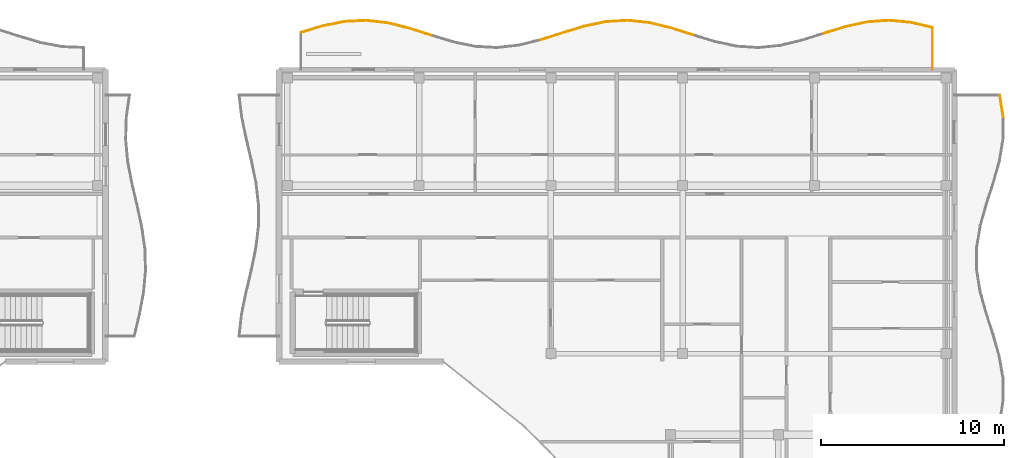
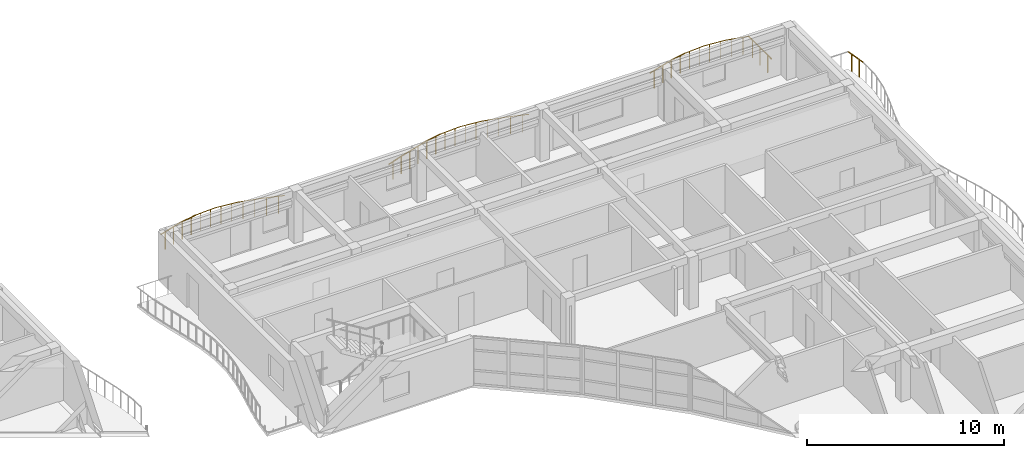
# One storey, part 68 of 68: 20 railings.
"""IFC4 building model written with IfcOpenShell, lengths in metres."""

from ifc_helpers import new_model, si_unit, direction, frame, origin, origin_2d, place, context, subcontext, project, spatial, circle, extrude, material, type_object, element, save


model = new_model("IFC4")

# Units and contexts
model_context = context("Model", 3, precision=1e-05, world=origin(), true_north=direction((0.0, 1.0)))
body_context = subcontext(model_context, "Body", "Model", "MODEL_VIEW")
ifc_project = project(units=[si_unit("LENGTHUNIT", "METRE"), si_unit("AREAUNIT", "SQUARE_METRE"), si_unit("VOLUMEUNIT", "CUBIC_METRE"), si_unit("PLANEANGLEUNIT", "RADIAN"), si_unit("MASSUNIT", "GRAM", prefix="KILO")], contexts=[model_context])

# Site, building, storey
site_placement = place(None, origin())
site = spatial("IfcSite", under=ifc_project, at=site_placement, CompositionType="ELEMENT")
building_placement = place(site_placement, origin())
building = spatial("IfcBuilding", under=site, at=building_placement, Name="Keldmere Railside Commons", CompositionType="ELEMENT")
storey_placement = place(building_placement, frame((0.0, 0.0, 23.360107421875)))
storey = spatial("IfcBuildingStorey", under=building, at=storey_placement, Name="L07", CompositionType="ELEMENT", Elevation=23.360107421875)

# Railings
ifc_material = material(Name="Steel F-24 (S235)", Category="steel")
railing_type = type_object("IfcRailingType", Name="Balcony & Terrace Steel Balustrade 1100", PredefinedType="BALUSTRADE", material=ifc_material)
railing_1_placement = place(storey_placement, frame((148.199951171875, 118.037353515625, 0.0)))
element("IfcRailing", 1, at=railing_1_placement, inside=storey, type_object=railing_type, Name="GR-1 GRD-L07-3955", PredefinedType="BALUSTRADE", context=body_context, shape_type="SweptSolid", body=[
    extrude(circle(Radius=0.02392578125, at=origin_2d()), frame((0.0, 0.0, 1.076171875), z_axis=(0.957615695202, 0.288048919981, 0.0), x_axis=(-0.288048919981, 0.957615695202, 0.0)), (0.0, 0.0, 1.0), 1.245849609375),
    extrude(circle(Radius=0.02099609375, at=origin_2d()), frame((0.29833984375, 0.08984375, 0.0)), (0.0, 0.0, 1.0), 1.048095703125),
    extrude(circle(Radius=0.02099609375, at=origin_2d()), frame((0.894775390625, 0.26904296875, 0.0)), (0.0, 0.0, 1.0), 1.048095703125),
])
railing_2_placement = place(storey_placement, frame((149.39306640625, 118.396240234375, 0.0)))
element("IfcRailing", 2, at=railing_2_placement, inside=storey, type_object=railing_type, Name="GR-1 GRD-L07-3956", PredefinedType="BALUSTRADE", context=body_context, shape_type="SweptSolid", body=[
    extrude(circle(Radius=0.02392578125, at=origin_2d()), frame((0.0, 0.0, 1.076171875), z_axis=(0.980247539976, 0.197774519013, 0.0), x_axis=(-0.197774519013, 0.980247539976, 0.0)), (0.0, 0.0, 1.0), 1.217041015625),
    extrude(circle(Radius=0.02099609375, at=origin_2d()), frame((0.29833984375, 0.06005859375, 0.0)), (0.0, 0.0, 1.0), 1.048095703125),
    extrude(circle(Radius=0.02099609375, at=origin_2d()), frame((0.894775390625, 0.1806640625, 0.0)), (0.0, 0.0, 1.0), 1.048095703125),
])
railing_3_placement = place(storey_placement, frame((150.586181640625, 118.636962890625, 0.0)))
element("IfcRailing", 3, at=railing_3_placement, inside=storey, type_object=railing_type, Name="GR-1 GRD-L07-3957", PredefinedType="BALUSTRADE", context=body_context, shape_type="SweptSolid", body=[
    extrude(circle(Radius=0.02392578125, at=origin_2d()), frame((0.0, 0.0, 1.076171875), z_axis=(0.99879628656, 0.049050769137, 0.0), x_axis=(-0.049050769137, 0.99879628656, 0.0)), (0.0, 0.0, 1.0), 1.194580078125),
    extrude(circle(Radius=0.02099609375, at=origin_2d()), frame((0.29833984375, 0.0146484375, 0.0)), (0.0, 0.0, 1.0), 1.048095703125),
    extrude(circle(Radius=0.02099609375, at=origin_2d()), frame((0.894775390625, 0.0439453125, 0.0)), (0.0, 0.0, 1.0), 1.048095703125),
])
railing_4_placement = place(storey_placement, frame((151.779296875, 118.695556640625, 0.0)))
element("IfcRailing", 4, at=railing_4_placement, inside=storey, type_object=railing_type, Name="GR-1 GRD-L07-3958", PredefinedType="BALUSTRADE", context=body_context, shape_type="SweptSolid", body=[
    extrude(circle(Radius=0.02392578125, at=origin_2d()), frame((0.0, 0.0, 1.076171875), z_axis=(0.993290015708, -0.115650095956, 0.0), x_axis=(0.115650095956, 0.993290015708, 0.0)), (0.0, 0.0, 1.0), 1.201171875),
    extrude(circle(Radius=0.02099609375, at=origin_2d()), frame((0.29833984375, -0.03466796875, 0.0)), (0.0, 0.0, 1.0), 1.048095703125),
    extrude(circle(Radius=0.02099609375, at=origin_2d()), frame((0.894775390625, -0.104248046875, 0.0)), (0.0, 0.0, 1.0), 1.048095703125),
])
railing_5_placement = place(storey_placement, frame((152.972412109375, 118.556640625, 0.0)))
element("IfcRailing", 5, at=railing_5_placement, inside=storey, type_object=railing_type, Name="GR-1 GRD-L07-3959", PredefinedType="BALUSTRADE", context=body_context, shape_type="SweptSolid", body=[
    extrude(circle(Radius=0.02392578125, at=origin_2d()), frame((0.0, 0.0, 1.076171875), z_axis=(0.969896842271, -0.243516150085, 0.0), x_axis=(0.243516150085, 0.969896842271, 0.0)), (0.0, 0.0, 1.0), 1.230224609375),
    extrude(circle(Radius=0.02099609375, at=origin_2d()), frame((0.29833984375, -0.074951171875, 0.0)), (0.0, 0.0, 1.0), 1.048095703125),
    extrude(circle(Radius=0.02099609375, at=origin_2d()), frame((0.894775390625, -0.224609375, 0.0)), (0.0, 0.0, 1.0), 1.048095703125),
])
railing_6_placement = place(storey_placement, frame((154.16552734375, 118.257080078125, 0.0)))
element("IfcRailing", 6, at=railing_6_placement, inside=storey, type_object=railing_type, Name="GR-1 GRD-L07-3960", PredefinedType="BALUSTRADE", context=body_context, shape_type="SweptSolid", body=[
    extrude(circle(Radius=0.02392578125, at=origin_2d()), frame((0.0, 0.0, 1.076171875), z_axis=(0.952641189787, -0.304096635168, 0.0), x_axis=(0.304096635168, 0.952641189787, 0.0)), (0.0, 0.0, 1.0), 1.25244140625),
    extrude(circle(Radius=0.02099609375, at=origin_2d()), frame((0.29833984375, -0.09521484375, 0.0)), (0.0, 0.0, 1.0), 1.048095703125),
    extrude(circle(Radius=0.02099609375, at=origin_2d()), frame((0.894775390625, -0.28564453125, 0.0)), (0.0, 0.0, 1.0), 1.048095703125),
])
railing_7_placement = place(storey_placement, frame((161.32421875, 117.630615234375, 0.0)))
element("IfcRailing", 7, at=railing_7_placement, inside=storey, type_object=railing_type, Name="GR-1 GRD-L07-3966", PredefinedType="BALUSTRADE", context=body_context, shape_type="SweptSolid", body=[
    extrude(circle(Radius=0.02392578125, at=origin_2d()), frame((0.0, 0.0, 1.076171875), z_axis=(0.952848913784, 0.303445130955, 0.0), x_axis=(-0.303445130955, 0.952848913784, 0.0)), (0.0, 0.0, 1.0), 1.251953125),
    extrude(circle(Radius=0.02099609375, at=origin_2d()), frame((0.29833984375, 0.094970703125, 0.0)), (0.0, 0.0, 1.0), 1.048095703125),
    extrude(circle(Radius=0.02099609375, at=origin_2d()), frame((0.89453125, 0.284912109375, 0.0)), (0.0, 0.0, 1.0), 1.048095703125),
])
railing_8_placement = place(storey_placement, frame((162.51708984375, 118.010498046875, 0.0)))
element("IfcRailing", 8, at=railing_8_placement, inside=storey, type_object=railing_type, Name="GR-1 GRD-L07-3967", PredefinedType="BALUSTRADE", context=body_context, shape_type="SweptSolid", body=[
    extrude(circle(Radius=0.02392578125, at=origin_2d()), frame((0.0, 0.0, 1.076171875), z_axis=(0.956529166579, 0.291636680622, 0.0), x_axis=(-0.291636680622, 0.956529166579, 0.0)), (0.0, 0.0, 1.0), 1.247314453125),
    extrude(circle(Radius=0.02099609375, at=origin_2d()), frame((0.29833984375, 0.0908203125, 0.0)), (0.0, 0.0, 1.0), 1.048095703125),
    extrude(circle(Radius=0.02099609375, at=origin_2d()), frame((0.894775390625, 0.27294921875, 0.0)), (0.0, 0.0, 1.0), 1.048095703125),
])
railing_9_placement = place(storey_placement, frame((163.710205078125, 118.374267578125, 0.0)))
element("IfcRailing", 9, at=railing_9_placement, inside=storey, type_object=railing_type, Name="GR-1 GRD-L07-3968", PredefinedType="BALUSTRADE", context=body_context, shape_type="SweptSolid", body=[
    extrude(circle(Radius=0.02392578125, at=origin_2d()), frame((0.0, 0.0, 1.076171875), z_axis=(0.97850302277, 0.206232476663, 0.0), x_axis=(-0.206232476663, 0.97850302277, 0.0)), (0.0, 0.0, 1.0), 1.21923828125),
    extrude(circle(Radius=0.02099609375, at=origin_2d()), frame((0.29833984375, 0.06298828125, 0.0)), (0.0, 0.0, 1.0), 1.048095703125),
    extrude(circle(Radius=0.02099609375, at=origin_2d()), frame((0.894775390625, 0.1884765625, 0.0)), (0.0, 0.0, 1.0), 1.048095703125),
])
railing_10_placement = place(storey_placement, frame((164.9033203125, 118.625732421875, 0.0)))
element("IfcRailing", 10, at=railing_10_placement, inside=storey, type_object=railing_type, Name="GR-1 GRD-L07-3969", PredefinedType="BALUSTRADE", context=body_context, shape_type="SweptSolid", body=[
    extrude(circle(Radius=0.02392578125, at=origin_2d()), frame((0.0, 0.0, 1.076171875), z_axis=(0.998171484742, 0.060445736392, 0.0), x_axis=(-0.060445736392, 0.998171484742, 0.0)), (0.0, 0.0, 1.0), 1.195556640625),
    extrude(circle(Radius=0.02099609375, at=origin_2d()), frame((0.29833984375, 0.01806640625, 0.0)), (0.0, 0.0, 1.0), 1.048095703125),
    extrude(circle(Radius=0.02099609375, at=origin_2d()), frame((0.89501953125, 0.05419921875, 0.0)), (0.0, 0.0, 1.0), 1.048095703125),
])
railing_11_placement = place(storey_placement, frame((166.0966796875, 118.697998046875, 0.0)))
element("IfcRailing", 11, at=railing_11_placement, inside=storey, type_object=railing_type, Name="GR-1 GRD-L07-3970", PredefinedType="BALUSTRADE", context=body_context, shape_type="SweptSolid", body=[
    extrude(circle(Radius=0.02392578125, at=origin_2d()), frame((0.0, 0.0, 1.076171875), z_axis=(0.994493180481, -0.104801307131, 0.0), x_axis=(0.104801307131, 0.994493180481, 0.0)), (0.0, 0.0, 1.0), 1.19970703125),
    extrude(circle(Radius=0.02099609375, at=origin_2d()), frame((0.29833984375, -0.031494140625, 0.0)), (0.0, 0.0, 1.0), 1.048095703125),
    extrude(circle(Radius=0.02099609375, at=origin_2d()), frame((0.894775390625, -0.09423828125, 0.0)), (0.0, 0.0, 1.0), 1.048095703125),
])
railing_12_placement = place(storey_placement, frame((167.289794921875, 118.572265625, 0.0)))
element("IfcRailing", 12, at=railing_12_placement, inside=storey, type_object=railing_type, Name="GR-1 GRD-L07-3971", PredefinedType="BALUSTRADE", context=body_context, shape_type="SweptSolid", body=[
    extrude(circle(Radius=0.02392578125, at=origin_2d()), frame((0.0, 0.0, 1.076171875), z_axis=(0.9715638565, -0.236777686329, 0.0), x_axis=(0.236777686329, 0.9715638565, 0.0)), (0.0, 0.0, 1.0), 1.22802734375),
    extrude(circle(Radius=0.02099609375, at=origin_2d()), frame((0.29833984375, -0.07275390625, 0.0)), (0.0, 0.0, 1.0), 1.048095703125),
    extrude(circle(Radius=0.02099609375, at=origin_2d()), frame((0.894775390625, -0.218017578125, 0.0)), (0.0, 0.0, 1.0), 1.048095703125),
])
railing_13_placement = place(storey_placement, frame((168.48291015625, 118.281494140625, 0.0)))
element("IfcRailing", 13, at=railing_13_placement, inside=storey, type_object=railing_type, Name="GR-1 GRD-L07-3972", PredefinedType="BALUSTRADE", context=body_context, shape_type="SweptSolid", body=[
    extrude(circle(Radius=0.02392578125, at=origin_2d()), frame((0.0, 0.0, 1.076171875), z_axis=(0.95318675983, -0.302382209934, 0.0), x_axis=(0.302382209934, 0.95318675983, 0.0)), (0.0, 0.0, 1.0), 1.25146484375),
    extrude(circle(Radius=0.02099609375, at=origin_2d()), frame((0.29833984375, -0.0947265625, 0.0)), (0.0, 0.0, 1.0), 1.048095703125),
    extrude(circle(Radius=0.02099609375, at=origin_2d()), frame((0.89453125, -0.28369140625, 0.0)), (0.0, 0.0, 1.0), 1.048095703125),
])
railing_14_placement = place(storey_placement, frame((176.83447265625, 117.9833984375, 0.0)))
element("IfcRailing", 14, at=railing_14_placement, inside=storey, type_object=railing_type, Name="GR-1 GRD-L07-3979", PredefinedType="BALUSTRADE", context=body_context, shape_type="SweptSolid", body=[
    extrude(circle(Radius=0.02392578125, at=origin_2d()), frame((0.0, 0.0, 1.076171875), z_axis=(0.955486849808, 0.295033692728, 0.0), x_axis=(-0.295033692728, 0.955486849808, 0.0)), (0.0, 0.0, 1.0), 1.248779296875),
    extrude(circle(Radius=0.02099609375, at=origin_2d()), frame((0.29833984375, 0.092041015625, 0.0)), (0.0, 0.0, 1.0), 1.048095703125),
    extrude(circle(Radius=0.02099609375, at=origin_2d()), frame((0.894775390625, 0.2763671875, 0.0)), (0.0, 0.0, 1.0), 1.048095703125),
])
railing_15_placement = place(storey_placement, frame((178.027587890625, 118.351806640625, 0.0)))
element("IfcRailing", 15, at=railing_15_placement, inside=storey, type_object=railing_type, Name="GR-1 GRD-L07-3980", PredefinedType="BALUSTRADE", context=body_context, shape_type="SweptSolid", body=[
    extrude(circle(Radius=0.02392578125, at=origin_2d()), frame((0.0, 0.0, 1.076171875), z_axis=(0.976775980871, 0.214263116737, 0.0), x_axis=(-0.214263116737, 0.976775980871, 0.0)), (0.0, 0.0, 1.0), 1.221435546875),
    extrude(circle(Radius=0.02099609375, at=origin_2d()), frame((0.29833984375, 0.0654296875, 0.0)), (0.0, 0.0, 1.0), 1.048095703125),
    extrude(circle(Radius=0.02099609375, at=origin_2d()), frame((0.894775390625, 0.1962890625, 0.0)), (0.0, 0.0, 1.0), 1.048095703125),
])
railing_16_placement = place(storey_placement, frame((179.220703125, 118.613525390625, 0.0)))
element("IfcRailing", 16, at=railing_16_placement, inside=storey, type_object=railing_type, Name="GR-1 GRD-L07-3981", PredefinedType="BALUSTRADE", context=body_context, shape_type="SweptSolid", body=[
    extrude(circle(Radius=0.02392578125, at=origin_2d()), frame((0.0, 0.0, 1.076171875), z_axis=(0.997416045776, 0.071841712321, 0.0), x_axis=(-0.071841712321, 0.997416045776, 0.0)), (0.0, 0.0, 1.0), 1.1962890625),
    extrude(circle(Radius=0.02099609375, at=origin_2d()), frame((0.29833984375, 0.021484375, 0.0)), (0.0, 0.0, 1.0), 1.048095703125),
    extrude(circle(Radius=0.02099609375, at=origin_2d()), frame((0.894775390625, 0.064453125, 0.0)), (0.0, 0.0, 1.0), 1.048095703125),
])
railing_17_placement = place(storey_placement, frame((180.413818359375, 118.699462890625, 0.0)))
element("IfcRailing", 17, at=railing_17_placement, inside=storey, type_object=railing_type, Name="GR-1 GRD-L07-3982", PredefinedType="BALUSTRADE", context=body_context, shape_type="SweptSolid", body=[
    extrude(circle(Radius=0.02392578125, at=origin_2d()), frame((0.0, 0.0, 1.076171875), z_axis=(0.995580221528, -0.093914974857, 0.0), x_axis=(0.093914974857, 0.995580221528, 0.0)), (0.0, 0.0, 1.0), 1.198486328125),
    extrude(circle(Radius=0.02099609375, at=origin_2d()), frame((0.29833984375, -0.028076171875, 0.0)), (0.0, 0.0, 1.0), 1.048095703125),
    extrude(circle(Radius=0.02099609375, at=origin_2d()), frame((0.894775390625, -0.08447265625, 0.0)), (0.0, 0.0, 1.0), 1.048095703125),
])
railing_18_placement = place(storey_placement, frame((181.60693359375, 118.5869140625, 0.0)))
element("IfcRailing", 18, at=railing_18_placement, inside=storey, type_object=railing_type, Name="GR-1 GRD-L07-3983", PredefinedType="BALUSTRADE", context=body_context, shape_type="SweptSolid", body=[
    extrude(circle(Radius=0.02392578125, at=origin_2d()), frame((0.0, 0.0, 1.076171875), z_axis=(0.97332305394, -0.229438951942, 0.0), x_axis=(0.229438951942, 0.97332305394, 0.0)), (0.0, 0.0, 1.0), 1.225830078125),
    extrude(circle(Radius=0.02099609375, at=origin_2d()), frame((0.29833984375, -0.0703125, 0.0)), (0.0, 0.0, 1.0), 1.048095703125),
    extrude(circle(Radius=0.02099609375, at=origin_2d()), frame((0.894775390625, -0.2109375, 0.0)), (0.0, 0.0, 1.0), 1.048095703125),
])
railing_19_placement = place(storey_placement, frame((182.800048828125, 118.3056640625, 0.0)))
element("IfcRailing", 19, at=railing_19_placement, inside=storey, type_object=railing_type, Name="GR-1 GRD-L07-3984", PredefinedType="BALUSTRADE", context=body_context, shape_type="SweptSolid", body=[
    extrude(circle(Radius=0.02392578125, at=origin_2d()), frame((0.0, 0.0, 1.076171875), z_axis=(0.0, -1.0, 0.0), x_axis=(1.0, 0.0, 0.0)), (0.0, 0.0, 1.0), 2.3056640625),
    extrude(circle(Radius=0.02099609375, at=origin_2d()), frame((0.0, -0.38427734375, 0.0)), (0.0, 0.0, 1.0), 1.048095703125),
    extrude(circle(Radius=0.02099609375, at=origin_2d()), frame((0.0, -1.15283203125, 0.0)), (0.0, 0.0, 1.0), 1.048095703125),
    extrude(circle(Radius=0.02099609375, at=origin_2d()), frame((0.0, -1.92138671875, 0.0)), (0.0, 0.0, 1.0), 1.048095703125),
])
railing_20_placement = place(storey_placement, frame((186.676513671875, 113.408203125, 0.0)))
element("IfcRailing", 20, at=railing_20_placement, inside=storey, type_object=railing_type, Name="GR-1 GRD-L07-4059", PredefinedType="BALUSTRADE", context=body_context, shape_type="SweptSolid", body=[
    extrude(circle(Radius=0.02392578125, at=origin_2d()), frame((0.0, 0.0, 1.076171875), z_axis=(-0.156388511387, 0.987695617843, 0.0), x_axis=(-0.987695617843, -0.156388511387, 0.0)), (0.0, 0.0, 1.0), 1.206787109375),
    extrude(circle(Radius=0.02099609375, at=origin_2d()), frame((-0.047119140625, 0.2978515625, 0.0)), (0.0, 0.0, 1.0), 1.048095703125),
    extrude(circle(Radius=0.02099609375, at=origin_2d()), frame((-0.1416015625, 0.89404296875, 0.0)), (0.0, 0.0, 1.0), 1.048095703125),
])

save(model, "model.ifc")
